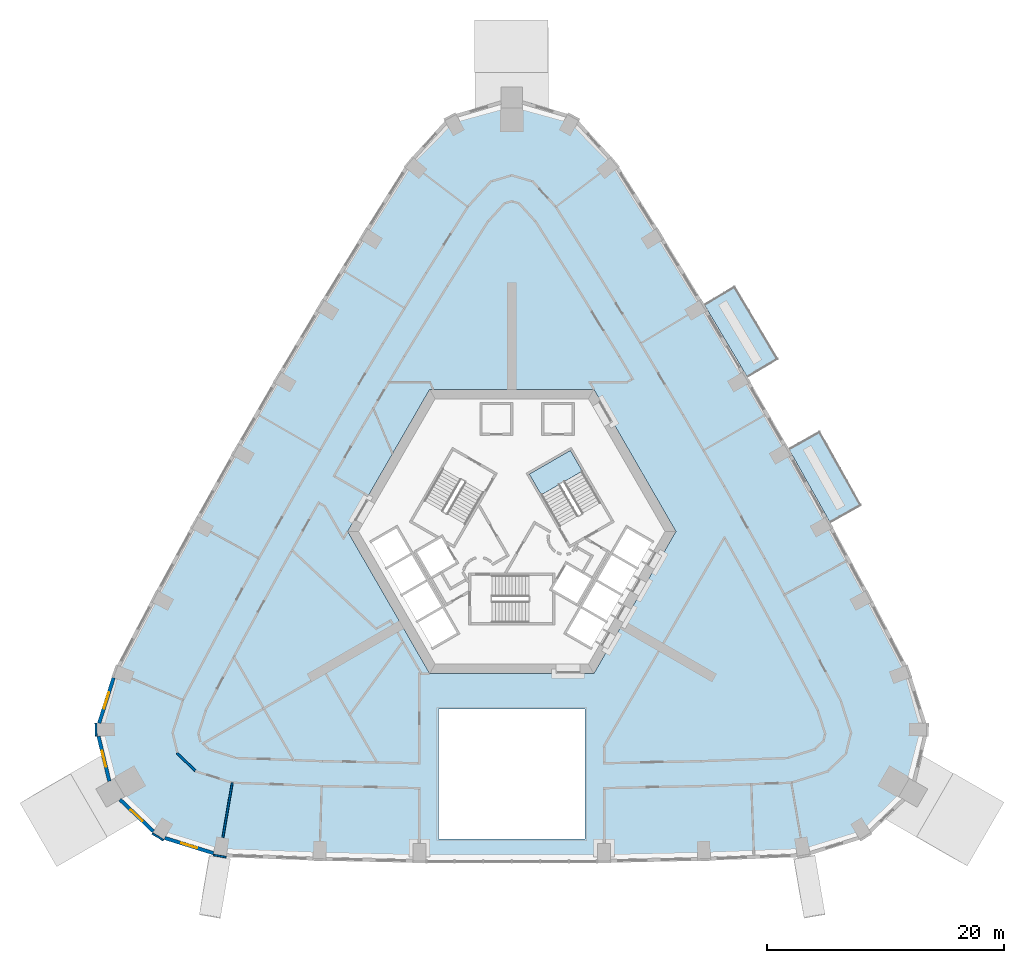
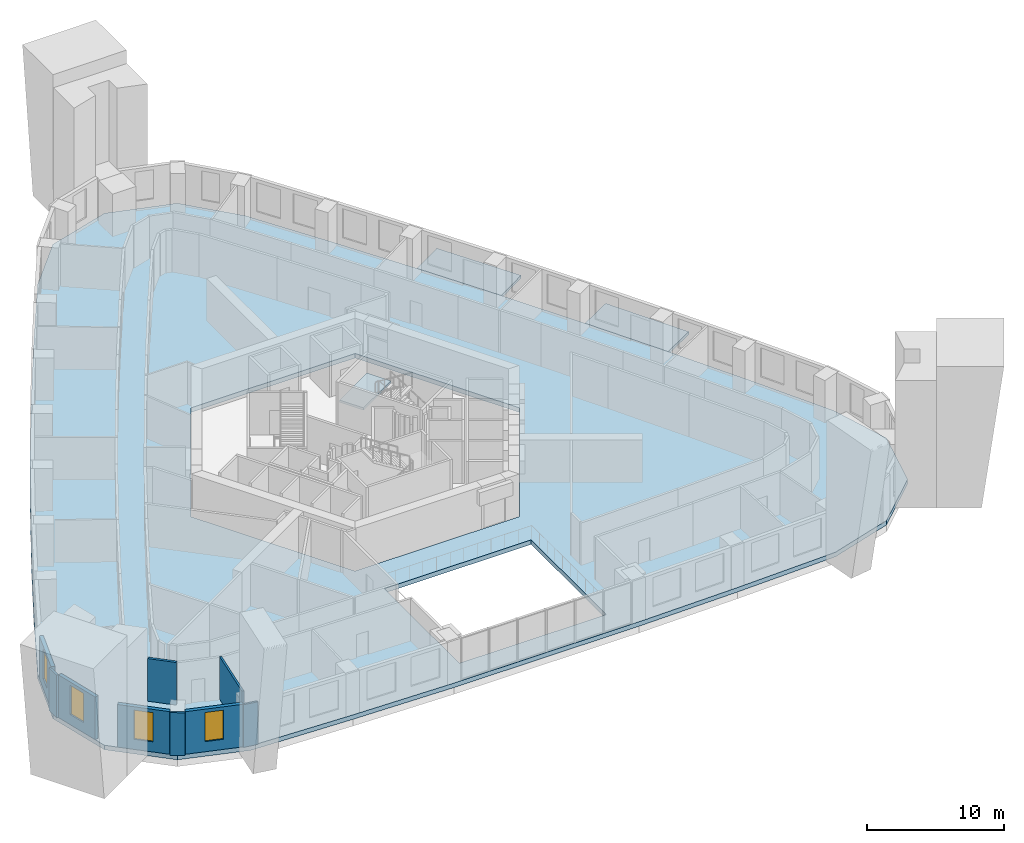
# One storey, part 3 of 14: 9 walls, 4 slabs, 4 windows, 4 openings, 1 element without a shape of its own.
"""IFC4 building model written with IfcOpenShell, lengths in metres."""

from ifc_helpers import new_model, si_unit, direction, frame, frame_2d, origin, place, context, subcontext, project, spatial, polyline, rectangle, outline, extrude, material, layer, layer_set, type_object, element, fill, aggregate, save


model = new_model("IFC4")

# Units and contexts
model_context = context("Model", 3, precision=1e-05, world=origin(), true_north=direction((0.0, 1.0)))
body_context = subcontext(model_context, "Body", "Model", "MODEL_VIEW")
ifc_project = project(units=[si_unit("LENGTHUNIT", "METRE"), si_unit("AREAUNIT", "SQUARE_METRE"), si_unit("VOLUMEUNIT", "CUBIC_METRE"), si_unit("PLANEANGLEUNIT", "RADIAN"), si_unit("MASSUNIT", "GRAM", prefix="KILO")], contexts=[model_context])

# Site, building, storey
site_placement = place(None, origin())
site = spatial("IfcSite", under=ifc_project, at=site_placement, CompositionType="ELEMENT")
building_placement = place(site_placement, origin())
building = spatial("IfcBuilding", under=site, at=building_placement, Name="Entoto Arch Interchange Tower", CompositionType="ELEMENT")
storey_placement = place(building_placement, frame((0.0, 0.0, 163.39990234375)))
storey = spatial("IfcBuildingStorey", under=building, at=storey_placement, Name="L36", CompositionType="ELEMENT", Elevation=163.39990234375)

# Slabs
ifc_material_1 = material(Name="Board-marked precast concrete C50/60", Category="concrete")
ifc_layer_1 = layer(ifc_material_1, 0.25)
ifc_layer_set_1 = layer_set([ifc_layer_1], Name="Board-marked precast concrete C50/60")
slab_type_1 = type_object("IfcSlabType", Name="BALCONY DECK PRECAST 250", PredefinedType="FLOOR", material=ifc_layer_set_1)
slab_1_placement = place(storey_placement, frame((0.0, 0.0, -0.25)))
element("IfcSlab", 1, at=slab_1_placement, inside=storey, type_object=slab_type_1, Name="Planted balcony NE-03 L36", PredefinedType="FLOOR", context=body_context, shape_type="SweptSolid", body=[
    extrude(outline(polyline([(26.860107421875, 3.27490234375), (23.406005859375, 9.43603515625), (25.97900390625, 10.87890625), (29.43310546875, 4.718017578125), (26.860107421875, 3.27490234375)])), origin(), (0.0, 0.0, 1.0), 0.25),
])
slab_2_placement = place(storey_placement, frame((0.0, 0.0, -0.25)))
element("IfcSlab", 2, at=slab_2_placement, inside=storey, type_object=slab_type_1, Name="Planted balcony NE-05 L36", PredefinedType="FLOOR", context=body_context, shape_type="SweptSolid", body=[
    extrude(outline(polyline([(19.875, 15.552978515625), (16.26611328125, 21.6240234375), (18.802001953125, 23.131103515625), (22.410888671875, 17.06005859375), (19.875, 15.552978515625)])), origin(), (0.0, 0.0, 1.0), 0.25),
])

# Stair, slab
ifc_material_2 = material(Name="Concrete C40/50", Category="concrete")
stair_type = type_object("IfcStairType", Name="EXIT STAIR RC 1800", PredefinedType="HALF_TURN_STAIR", material=ifc_material_2)
stair_placement = place(storey_placement, origin())
stair = element("IfcStair", 3, at=stair_placement, inside=storey, type_object=stair_type, Name="L36 Exit stair NE", PredefinedType="HALF_TURN_STAIR")
ifc_layer_2 = layer(ifc_material_2, 0.199951171875)
ifc_layer_set_2 = layer_set([ifc_layer_2], Name="Concrete C40/50")
slab_type_2 = type_object("IfcSlabType", Name="EXIT STAIR LANDING RC 200", PredefinedType="LANDING", material=ifc_layer_set_2)
slab_3_placement = place(storey_placement, frame((0.0, 0.0, 1.900146484375)))
slab_3 = element("IfcSlab", 4, at=slab_3_placement, type_object=slab_type_2, Name="ST-NE landing 1", PredefinedType="LANDING", context=body_context, shape_type="SweptSolid", body=[
    extrude(outline(polyline([(5.953369140625, 7.58837890625), (4.943359375, 9.337890625), (1.479248046875, 7.337890625), (2.4892578125, 5.58837890625), (5.953369140625, 7.58837890625)])), origin(), (0.0, 0.0, 1.0), 0.199951171875),
])
aggregate(stair, [slab_3])

# Slab
ifc_layer_3 = layer(ifc_material_2, 0.39990234375)
ifc_layer_set_3 = layer_set([ifc_layer_3], Name="Concrete C40/50")
slab_type_3 = type_object("IfcSlabType", Name="Post-tensioned flat plate 400 C40/50", PredefinedType="FLOOR", material=ifc_layer_set_3)
slab_4_placement = place(storey_placement, frame((0.0, 0.0, -0.39990234375)))
element("IfcSlab", 5, at=slab_4_placement, inside=storey, type_object=slab_type_3, Name="Floor slab L36", PredefinedType="FLOOR", context=body_context, shape_type="SweptSolid", body=[
    extrude(outline(polyline([(-24.6689453125, -24.97705078125), (-16.23388671875, -25.2900390625), (-7.800048828125, -25.472900390625), (7.800048828125, -25.472900390625), (16.23388671875, -25.2900390625), (24.6689453125, -24.97705078125), (29.9189453125, -23.339111328125), (33.888916015625, -19.56494140625), (35.1708984375, -14.240966796875), (33.58203125, -9.281005859375), (30.23388671875, -2.931884765625), (26.860107421875, 3.27490234375), (23.406005859375, 9.43603515625), (19.875, 15.552978515625), (16.26611328125, 21.6240234375), (12.577880859375, 27.64892578125), (8.7529296875, 33.72412109375), (5.2529296875, 37.580078125), (0.0, 39.131103515625), (-5.2529296875, 37.580078125), (-8.7529296875, 33.72412109375), (-12.577880859375, 27.64892578125), (-16.26611328125, 21.6240234375), (-19.875, 15.552978515625), (-23.406005859375, 9.43603515625), (-26.860107421875, 3.27490234375), (-30.23388671875, -2.931884765625), (-33.58203125, -9.281005859375), (-35.1708984375, -14.240966796875), (-33.888916015625, -19.56494140625), (-29.9189453125, -23.339111328125), (-24.6689453125, -24.97705078125)]), holes=[polyline([(6.199951171875, -23.472900390625), (6.199951171875, -12.5), (-6.199951171875, -12.5), (-6.199951171875, -23.472900390625), (6.199951171875, -23.472900390625)]), polyline([(13.85595703125, 2.5), (6.927978515625, 14.5), (-6.927978515625, 14.5), (-13.85595703125, 2.5), (-6.927978515625, -9.5), (6.927978515625, -9.5), (13.85595703125, 2.5)])]), origin(), (0.0, 0.0, 1.0), 0.39990234375),
])

# Walls
ifc_material_3 = material(Name="Gypsum board partition on steel studs", Category="steel")
ifc_layer_4 = layer(ifc_material_3, 0.14990234375)
ifc_layer_set_4 = layer_set([ifc_layer_4], Name="Gypsum board partition on steel studs")
wall_type_1 = type_object("IfcWallType", Name="PARTITION 150", PredefinedType="PARTITIONING", material=ifc_layer_set_4)
wall_1_placement = place(storey_placement, frame((-23.594970703125, -18.7119140625, 0.0), z_axis=(0.0, 0.0, 1.0), x_axis=(-0.168992733164, -0.985617296996, 0.0)))
element("IfcWall", 6, at=wall_1_placement, inside=storey, type_object=wall_type_1, Name="wall:L36:p145", PredefinedType="PARTITIONING", context=body_context, shape_type="SweptSolid", body=[
    extrude(rectangle(XDim=4.6865234375, YDim=0.14990234375, at=frame_2d((2.34326171875, 0.0))), origin(), (0.0, 0.0, 1.0), 3.800048828125),
])
ifc_layer_5 = layer(ifc_material_3, 0.199951171875)
ifc_layer_set_5 = layer_set([ifc_layer_5], Name="Gypsum board partition on steel studs")
wall_type_2 = type_object("IfcWallType", Name="PARTITION 200", PredefinedType="PARTITIONING", material=ifc_layer_set_5)
wall_2_placement = place(storey_placement, frame((-26.714111328125, -17.693115234375, 0.0), z_axis=(0.0, 0.0, 1.0), x_axis=(-0.724712974479, 0.689050872303, 0.0)))
element("IfcWall", 7, at=wall_2_placement, inside=storey, type_object=wall_type_2, Name="wall:L36:p073", PredefinedType="PARTITIONING", context=body_context, shape_type="SweptSolid", body=[
    extrude(rectangle(XDim=2.149658203125, YDim=0.199951171875, at=frame_2d((1.07470703125, 0.0))), origin(), (0.0, 0.0, 1.0), 3.800048828125),
])

# Wall, opening, window
ifc_material_4 = material(Name="Welded tuff (ignimbrite) cladding, warm buff", Category="masonry")
ifc_layer_6 = layer(ifc_material_4, 0.300048828125)
ifc_layer_set_6 = layer_set([ifc_layer_6], Name="Welded tuff (ignimbrite) cladding, warm buff")
wall_type_3 = type_object("IfcWallType", Name="STONE INFILL WALL 300", PredefinedType="STANDARD", material=ifc_layer_set_6)
wall_3_placement = place(storey_placement, frame((-33.60888671875, -9.85595703125, 0.0), z_axis=(0.0, 0.0, 1.0), x_axis=(-0.305018133869, -0.952346543025, 0.0)))
wall_3 = element("IfcWall", 8, at=wall_3_placement, inside=storey, type_object=wall_type_3, Name="Facade wall SW-01 L36", PredefinedType="STANDARD", context=body_context, shape_type="SweptSolid", body=[
    extrude(rectangle(XDim=4.019775390625, YDim=0.300048828125, at=frame_2d((2.009765625, 0.0))), origin(), (0.0, 0.0, 1.0), 3.800048828125),
])
opening_1_placement = place(wall_3_placement, frame((1.31005859375, 0.0, 0.89990234375)))
opening_1 = element("IfcOpeningElement", 9, at=opening_1_placement, cuts=wall_3, Name="Opening WO-B", PredefinedType="OPENING", context=body_context, shape_type="SweptSolid", body=[
    extrude(rectangle(XDim=1.39990234375, YDim=2.60009765625, at=frame_2d((0.699951171875, 1.300048828125))), frame((0.0, 0.16015625, 0.0), z_axis=(0.0, -1.0, 0.0), x_axis=(1.0, 0.0, 0.0)), (0.0, 0.0, 1.0), 0.320068359375),
])
ifc_material_5 = material(Name="Clear glass, low-e double glazed", Category="glass")
window_type = type_object("IfcWindowType", Name="WINDOW WO-B 1400x2600", PartitioningType="DOUBLE_PANEL_VERTICAL", PredefinedType="WINDOW", material=ifc_material_5)
window_1_placement = place(opening_1_placement, origin())
window_1 = element("IfcWindow", 10, at=window_1_placement, inside=storey, type_object=window_type, Name="Window WO-B SW-01 L36", OverallHeight=2.60009765625, OverallWidth=1.39990234375, PartitioningType="SINGLE_PANEL", PredefinedType="WINDOW", context=body_context, shape_type="SweptSolid", body=[
    extrude(rectangle(XDim=1.39990234375, YDim=2.60009765625, at=frame_2d((0.699951171875, 1.300048828125))), frame((0.0, 0.030029296875, 0.0), z_axis=(0.0, -1.0, 0.0), x_axis=(1.0, 0.0, 0.0)), (0.0, 0.0, 1.0), 0.06005859375),
])
fill(opening_1, window_1)

wall_4_placement = place(storey_placement, frame((-34.885986328125, -14.782958984375, 0.0), z_axis=(0.0, 0.0, 1.0), x_axis=(0.234102046927, -0.972212030179, 0.0)))
wall_4 = element("IfcWall", 11, at=wall_4_placement, inside=storey, type_object=wall_type_3, Name="Facade wall SW-02 L36", PredefinedType="STANDARD", context=body_context, shape_type="SweptSolid", body=[
    extrude(rectangle(XDim=3.900390625, YDim=0.300048828125, at=frame_2d((1.9501953125, 0.0))), origin(), (0.0, 0.0, 1.0), 3.800048828125),
])
opening_2_placement = place(wall_4_placement, frame((1.25, 0.0, 0.89990234375)))
opening_2 = element("IfcOpeningElement", 12, at=opening_2_placement, cuts=wall_4, Name="Opening WO-B", PredefinedType="OPENING", context=body_context, shape_type="SweptSolid", body=[
    extrude(rectangle(XDim=1.39990234375, YDim=2.60009765625, at=frame_2d((0.699951171875, 1.300048828125))), frame((0.0, 0.16015625, 0.0), z_axis=(0.0, -1.0, 0.0), x_axis=(1.0, 0.0, 0.0)), (0.0, 0.0, 1.0), 0.320068359375),
])
window_2_placement = place(opening_2_placement, origin())
window_2 = element("IfcWindow", 13, at=window_2_placement, inside=storey, type_object=window_type, Name="Window WO-B SW-02 L36", OverallHeight=2.60009765625, OverallWidth=1.39990234375, PartitioningType="SINGLE_PANEL", PredefinedType="WINDOW", context=body_context, shape_type="SweptSolid", body=[
    extrude(rectangle(XDim=1.39990234375, YDim=2.60009765625, at=frame_2d((0.699951171875, 1.300048828125))), frame((0.0, 0.030029296875, 0.0), z_axis=(0.0, -1.0, 0.0), x_axis=(1.0, 0.0, 0.0)), (0.0, 0.0, 1.0), 0.06005859375),
])
fill(opening_2, window_2)

wall_5_placement = place(storey_placement, frame((-33.073974609375, -20.133056640625, 0.0), z_axis=(0.0, 0.0, 1.0), x_axis=(0.724807239831, -0.688951714628, 0.0)))
wall_5 = element("IfcWall", 14, at=wall_5_placement, inside=storey, type_object=wall_type_3, Name="Facade wall SW-03 L36", PredefinedType="STANDARD", context=body_context, shape_type="SweptSolid", body=[
    extrude(rectangle(XDim=3.901611328125, YDim=0.300048828125, at=frame_2d((1.95068359375, 0.0))), origin(), (0.0, 0.0, 1.0), 3.800048828125),
])
opening_3_placement = place(wall_5_placement, frame((1.2509765625, 0.0, 0.89990234375)))
opening_3 = element("IfcOpeningElement", 15, at=opening_3_placement, cuts=wall_5, Name="Opening WO-B", PredefinedType="OPENING", context=body_context, shape_type="SweptSolid", body=[
    extrude(rectangle(XDim=1.39990234375, YDim=2.60009765625, at=frame_2d((0.699951171875, 1.300048828125))), frame((0.0, 0.16015625, 0.0), z_axis=(0.0, -1.0, 0.0), x_axis=(1.0, 0.0, 0.0)), (0.0, 0.0, 1.0), 0.320068359375),
])
window_3_placement = place(opening_3_placement, origin())
window_3 = element("IfcWindow", 16, at=window_3_placement, inside=storey, type_object=window_type, Name="Window WO-B SW-03 L36", OverallHeight=2.60009765625, OverallWidth=1.39990234375, PartitioningType="SINGLE_PANEL", PredefinedType="WINDOW", context=body_context, shape_type="SweptSolid", body=[
    extrude(rectangle(XDim=1.39990234375, YDim=2.60009765625, at=frame_2d((0.699951171875, 1.300048828125))), frame((0.0, 0.030029296875, 0.0), z_axis=(0.0, -1.0, 0.0), x_axis=(1.0, 0.0, 0.0)), (0.0, 0.0, 1.0), 0.06005859375),
])
fill(opening_3, window_3)

wall_6_placement = place(storey_placement, frame((-29.298095703125, -23.3759765625, 0.0), z_axis=(0.0, 0.0, 1.0), x_axis=(0.954628614874, -0.29779893832, 0.0)))
wall_6 = element("IfcWall", 17, at=wall_6_placement, inside=storey, type_object=wall_type_3, Name="Facade wall SW-04 L36", PredefinedType="STANDARD", context=body_context, shape_type="SweptSolid", body=[
    extrude(rectangle(XDim=4.322021484375, YDim=0.300048828125, at=frame_2d((2.1611328125, 0.0))), origin(), (0.0, 0.0, 1.0), 3.800048828125),
])
opening_4_placement = place(wall_6_placement, frame((1.4609375, 0.0, 0.89990234375)))
opening_4 = element("IfcOpeningElement", 18, at=opening_4_placement, cuts=wall_6, Name="Opening WO-B", PredefinedType="OPENING", context=body_context, shape_type="SweptSolid", body=[
    extrude(rectangle(XDim=1.39990234375, YDim=2.60009765625, at=frame_2d((0.699951171875, 1.300048828125))), frame((0.0, 0.16015625, 0.0), z_axis=(0.0, -1.0, 0.0), x_axis=(1.0, 0.0, 0.0)), (0.0, 0.0, 1.0), 0.320068359375),
])
window_4_placement = place(opening_4_placement, origin())
window_4 = element("IfcWindow", 19, at=window_4_placement, inside=storey, type_object=window_type, Name="Window WO-B SW-04 L36", OverallHeight=2.60009765625, OverallWidth=1.39990234375, PartitioningType="SINGLE_PANEL", PredefinedType="WINDOW", context=body_context, shape_type="SweptSolid", body=[
    extrude(rectangle(XDim=1.39990234375, YDim=2.60009765625, at=frame_2d((0.699951171875, 1.300048828125))), frame((0.0, 0.030029296875, 0.0), z_axis=(0.0, -1.0, 0.0), x_axis=(1.0, 0.0, 0.0)), (0.0, 0.0, 1.0), 0.06005859375),
])
fill(opening_4, window_4)

# Walls
ifc_layer_7 = layer(ifc_material_4, 0.14990234375)
ifc_layer_set_7 = layer_set([ifc_layer_7], Name="Welded tuff (ignimbrite) cladding, warm buff")
wall_type_4 = type_object("IfcWallType", Name="STONE PIER CLADDING 150", PredefinedType="STANDARD", material=ifc_layer_set_7)
wall_7_placement = place(storey_placement, frame((-25.198974609375, -24.81103515625, 0.0), z_axis=(0.0, 0.0, 1.0), x_axis=(0.985763338892, -0.168138751323, 0.0)))
element("IfcWall", 20, at=wall_7_placement, inside=storey, type_object=wall_type_4, Name="Stone pier S01 L36", PredefinedType="STANDARD", context=body_context, shape_type="SweptSolid", body=[
    extrude(rectangle(XDim=1.1005859375, YDim=0.14990234375, at=frame_2d((0.55029296875, 0.0))), origin(), (0.0, 0.0, 1.0), 3.800048828125),
])
wall_8_placement = place(storey_placement, frame((-35.10888671875, -13.68896484375, 0.0), z_axis=(0.0, 0.0, 1.0), x_axis=(0.023517683673, -0.999723421029, 0.0)))
element("IfcWall", 21, at=wall_8_placement, inside=storey, type_object=wall_type_4, Name="Stone pier SW1 L36", PredefinedType="STANDARD", context=body_context, shape_type="SweptSolid", body=[
    extrude(rectangle(XDim=1.100341796875, YDim=0.14990234375, at=frame_2d((0.55029296875, 0.0))), origin(), (0.0, 0.0, 1.0), 3.800048828125),
])
wall_9_placement = place(storey_placement, frame((-30.34912109375, -22.989013671875, 0.0), z_axis=(0.0, 0.0, 1.0), x_axis=(0.854065628997, -0.520165263514, 0.0)))
element("IfcWall", 22, at=wall_9_placement, inside=storey, type_object=wall_type_4, Name="Stone pier SW3 L36", PredefinedType="STANDARD", context=body_context, shape_type="SweptSolid", body=[
    extrude(rectangle(XDim=1.099609375, YDim=0.14990234375, at=frame_2d((0.5498046875, 0.0))), origin(), (0.0, 0.0, 1.0), 3.800048828125),
])

save(model, "model.ifc")
